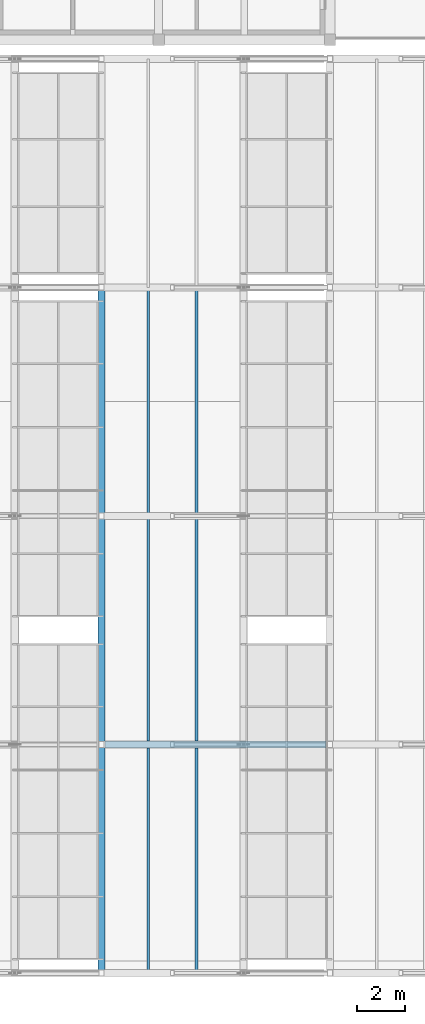
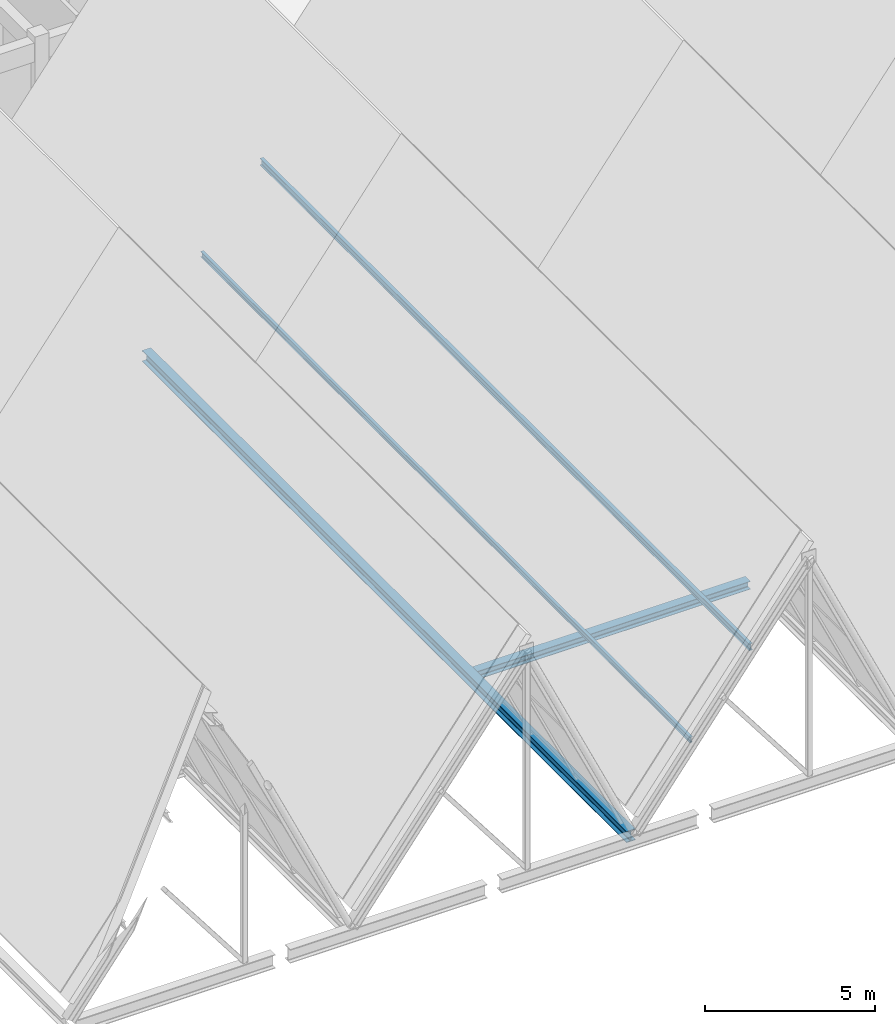
# One storey, part 11 of 99: 3 members, 1 beam.
"""IFC4 building model written with IfcOpenShell, lengths in metres."""

from ifc_helpers import new_model, si_unit, direction, frame, origin, origin_2d, place, context, subcontext, project, spatial, i_section, extrude, material, material_profile, profile_set, type_object, element, save


model = new_model("IFC4")

# Units and contexts
model_context = context("Model", 3, precision=1e-05, world=origin(), true_north=direction((0.0, 1.0)))
body_context = subcontext(model_context, "Body", "Model", "MODEL_VIEW")
ifc_project = project(units=[si_unit("LENGTHUNIT", "METRE"), si_unit("AREAUNIT", "SQUARE_METRE"), si_unit("VOLUMEUNIT", "CUBIC_METRE"), si_unit("PLANEANGLEUNIT", "RADIAN"), si_unit("MASSUNIT", "GRAM", prefix="KILO")], contexts=[model_context])

# Site, building, storey
site_placement = place(None, origin())
site = spatial("IfcSite", under=ifc_project, at=site_placement, CompositionType="ELEMENT")
building_placement = place(site_placement, origin())
building = spatial("IfcBuilding", under=site, at=building_placement, Name="Bramveld Media Centre", CompositionType="ELEMENT")
storey_placement = place(building_placement, frame((0.0, 0.0, 13.800048828125)))
storey = spatial("IfcBuildingStorey", under=building, at=storey_placement, Name="L03", CompositionType="ELEMENT", Elevation=13.800048828125)

# Members
ifc_material_1 = material(Name="Steel S355J2", Category="steel")
ifc_material_profile_1 = material_profile(ifc_material_1, i_section(OverallWidth=0.300048828125, OverallDepth=0.2900390625, WebThickness=0.008544921875, FlangeThickness=0.013916015625, FilletRadius=0.027099609375, at=origin_2d()), Name="HEA 300")
ifc_profile_set_1 = profile_set([ifc_material_profile_1], Name="Steel S355J2")
member_type_1 = type_object("IfcMemberType", Name="MEM-CHORD-HEA300", PredefinedType="CHORD", material=ifc_profile_set_1)
member_1_placement = place(storey_placement, frame((19.360107421875, 9.60009765625, -0.14501953125), z_axis=(1.0, 0.0, 0.0), x_axis=(0.0, 1.0, 0.0)))
element("IfcMember", 1, at=member_1_placement, inside=storey, type_object=member_type_1, Name="TRUSS-V2-B03-F2 bottom tie chord", PredefinedType="CHORD", context=body_context, shape_type="SweptSolid", body=[
    extrude(i_section(OverallWidth=0.300048828125, OverallDepth=0.2900390625, WebThickness=0.008544921875, FlangeThickness=0.013916015625, FilletRadius=0.027099609375, at=origin_2d()), origin(), (0.0, 0.0, 1.0), 9.27978515625),
])
ifc_material_2 = material(Name="Steel S355J2", Category="steel")
ifc_material_profile_2 = material_profile(ifc_material_2, i_section(OverallWidth=0.10009765625, OverallDepth=0.199951171875, WebThickness=0.005615234375, FlangeThickness=0.008544921875, FilletRadius=0.011962890625, at=origin_2d()), Name="IPE 200")
ifc_profile_set_2 = profile_set([ifc_material_profile_2], Name="Steel S355J2")
member_type_2 = type_object("IfcMemberType", Name="MEM-PURLIN-IPE200", PredefinedType="PURLIN", material=ifc_profile_set_2)
member_2_placement = place(storey_placement, frame((21.167724609375, 0.0, 2.650146484375), z_axis=(0.0, 1.0, 0.0), x_axis=(-1.0, 0.0, 0.0)))
element("IfcMember", 2, at=member_2_placement, inside=storey, type_object=member_type_2, Name="V2 roof purlin", PredefinedType="PURLIN", context=body_context, shape_type="SweptSolid", body=[
    extrude(i_section(OverallWidth=0.10009765625, OverallDepth=0.199951171875, WebThickness=0.005615234375, FlangeThickness=0.008544921875, FilletRadius=0.011962890625, at=origin_2d()), origin(), (0.0, 0.0, 1.0), 28.800048828125),
])
ifc_material_3 = material(Name="Steel S355J2", Category="steel")
ifc_material_profile_3 = material_profile(ifc_material_3, i_section(OverallWidth=0.1201171875, OverallDepth=0.239990234375, WebThickness=0.006103515625, FlangeThickness=0.009765625, FilletRadius=0.014892578125, at=origin_2d()), Name="IPE 240")
ifc_profile_set_3 = profile_set([ifc_material_profile_3], Name="Steel S355J2")
member_type_3 = type_object("IfcMemberType", Name="MEM-PURLIN-IPE240", PredefinedType="PURLIN", material=ifc_profile_set_3)
member_3_placement = place(storey_placement, frame((23.195068359375, 0.0, 5.26904296875), z_axis=(0.0, 1.0, 0.0), x_axis=(-1.0, 0.0, 0.0)))
element("IfcMember", 3, at=member_3_placement, inside=storey, type_object=member_type_3, Name="V2 roof purlin", PredefinedType="PURLIN", context=body_context, shape_type="SweptSolid", body=[
    extrude(i_section(OverallWidth=0.1201171875, OverallDepth=0.239990234375, WebThickness=0.006103515625, FlangeThickness=0.009765625, FilletRadius=0.014892578125, at=origin_2d()), origin(), (0.0, 0.0, 1.0), 28.800048828125),
])

# Beam
ifc_material_4 = material(Name="Steel S355J2", Category="steel")
ifc_material_profile_4 = material_profile(ifc_material_4, i_section(OverallWidth=0.300048828125, OverallDepth=0.39990234375, WebThickness=0.013427734375, FlangeThickness=0.02392578125, FilletRadius=0.027099609375, at=origin_2d()), Name="HEB 400")
ifc_profile_set_4 = profile_set([ifc_material_profile_4], Name="Steel S355J2")
beam_type = type_object("IfcBeamType", Name="SBM-INT-HEB-400", PredefinedType="BEAM", material=ifc_profile_set_4)
beam_placement = place(storey_placement, frame((19.199951171875, 0.139892578125, -0.199951171875), z_axis=(0.0, 1.0, 0.0), x_axis=(-1.0, 0.0, 0.0)))
element("IfcBeam", 4, at=beam_placement, inside=storey, type_object=beam_type, Name="V2 valley spine girder 2", PredefinedType="BEAM", context=body_context, shape_type="SweptSolid", body=[
    extrude(i_section(OverallWidth=0.300048828125, OverallDepth=0.39990234375, WebThickness=0.013427734375, FlangeThickness=0.02392578125, FilletRadius=0.027099609375, at=origin_2d()), origin(), (0.0, 0.0, 1.0), 28.52001953125),
])

save(model, "model.ifc")
